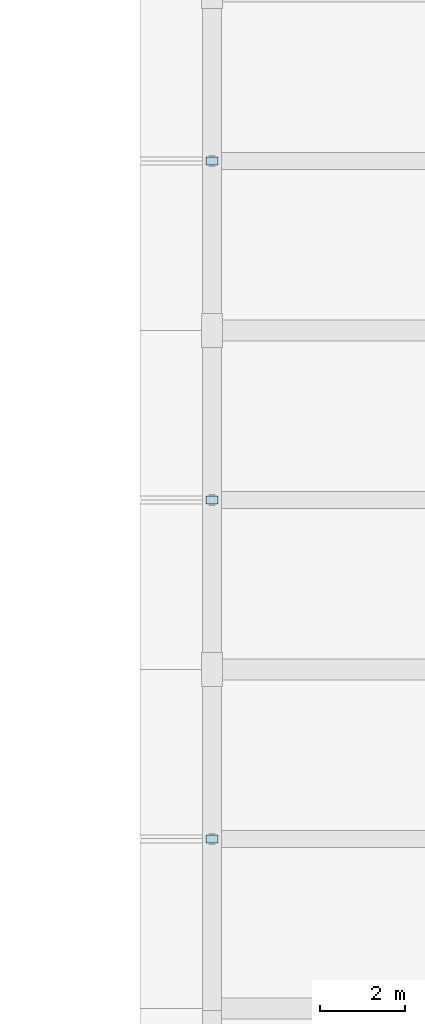
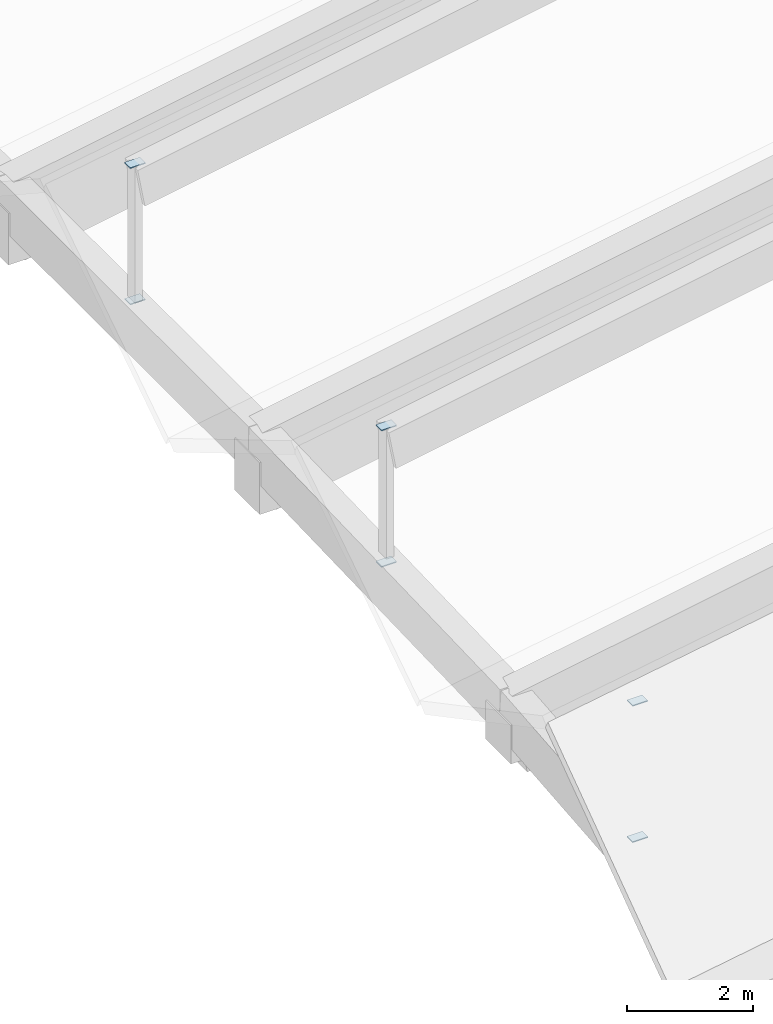
# One storey, part 57 of 109: 6 plates.
"""IFC4 building model written with IfcOpenShell, lengths in metres."""

from ifc_helpers import new_model, si_unit, direction, frame, origin, origin_2d, place, context, subcontext, project, spatial, rectangle, extrude, material, layer, layer_set, type_object, element, save


model = new_model("IFC4")

# Units and contexts
model_context = context("Model", 3, precision=1e-05, world=origin(), true_north=direction((0.0, 1.0)))
body_context = subcontext(model_context, "Body", "Model", "MODEL_VIEW")
ifc_project = project(units=[si_unit("LENGTHUNIT", "METRE"), si_unit("AREAUNIT", "SQUARE_METRE"), si_unit("VOLUMEUNIT", "CUBIC_METRE"), si_unit("PLANEANGLEUNIT", "RADIAN"), si_unit("MASSUNIT", "GRAM", prefix="KILO")], contexts=[model_context])

# Site, building, storey
site_placement = place(None, origin())
site = spatial("IfcSite", under=ifc_project, at=site_placement, CompositionType="ELEMENT")
building_placement = place(site_placement, origin())
building = spatial("IfcBuilding", under=site, at=building_placement, Name="Zavelmont Quarter", CompositionType="ELEMENT")
storey_placement = place(building_placement, frame((0.0, 0.0, 8.0)))
storey = spatial("IfcBuildingStorey", under=building, at=storey_placement, Name="L02", CompositionType="ELEMENT", Elevation=8.0)

# Plates
ifc_material = material(Name="Steel S355", Category="steel")
ifc_layer = layer(ifc_material, 0.02001953125)
ifc_layer_set = layer_set([ifc_layer], Name="Steel S355")
plate_type = type_object("IfcPlateType", Name="NP01", PredefinedType="SHEET", material=ifc_layer_set)
for number, where, z_axis, x_axis, name in (
    (1, (55.199951171875, 42.0, 0.669921875), (0.0, 0.0, 1.0), (1.0, 0.0, 0.0), "L02 steel connection plate NP01 at 9/G"),
    (2, (55.199951171875, 42.0, 3.320068359375), (0.0, 0.0, 1.0), (1.0, 0.0, 0.0), "L02 steel connection plate NP01 at 9/G"),
    (3, (55.199951171875, 50.0, 1.169921875), (0.0, 0.0, 1.0), (1.0, 0.0, 0.0), "L02 steel connection plate NP01 at 9/H"),
    (4, (55.199951171875, 50.0, 3.820068359375), (0.0, 0.0, 1.0), (1.0, 0.0, 0.0), "L02 steel connection plate NP01 at 9/H"),
    (5, (55.199951171875, 58.0, 1.419921875), (0.0, 0.0, 1.0), (1.0, 0.0, 0.0), "L02 steel connection plate NP01 at 9/J"),
    (6, (55.199951171875, 58.0, 4.070068359375), (0.0, 0.0, 1.0), (1.0, 0.0, 0.0), "L02 steel connection plate NP01 at 9/J"),
):
    element("IfcPlate", number, at=place(storey_placement, frame(where, z_axis=z_axis, x_axis=x_axis)), inside=storey, type_object=plate_type, Name=name, PredefinedType="SHEET", context=body_context, shape_type="SweptSolid", body=[
        extrude(rectangle(XDim=0.280029296875, YDim=0.179931640625, at=origin_2d()), origin(), (0.0, 0.0, 1.0), 0.02001953125),
    ])

save(model, "model.ifc")
